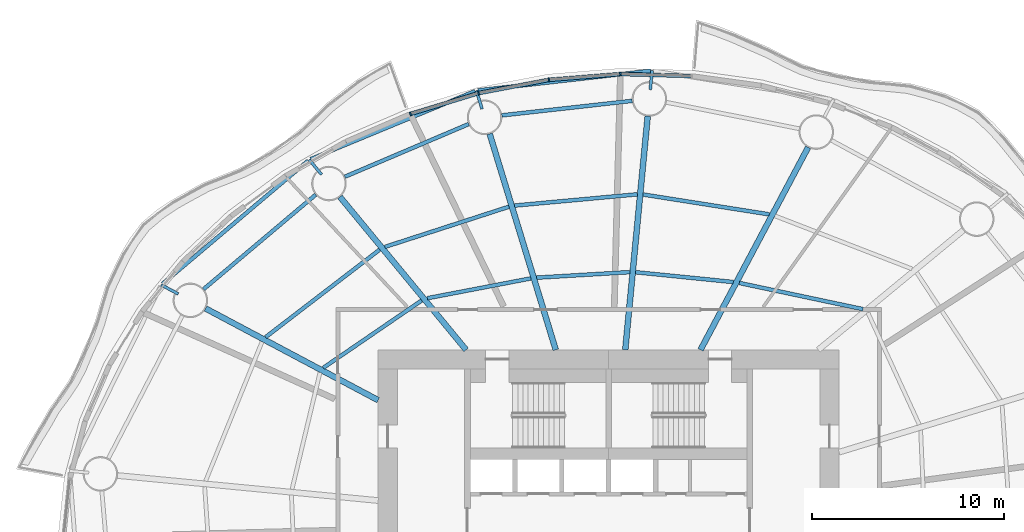
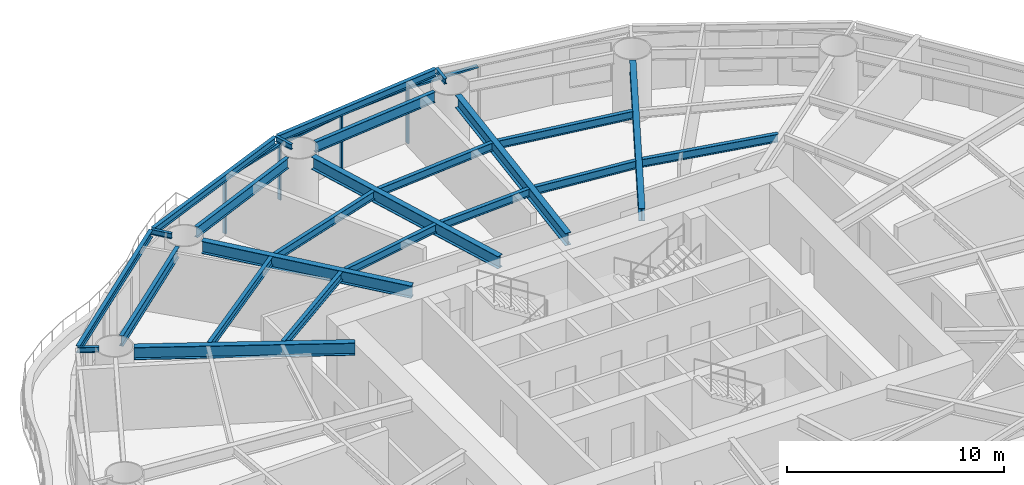
# One storey, part 5 of 16: 24 beams, 8 members, 4 elements without a shape of their own.
"""IFC4 building model written with IfcOpenShell, lengths in metres."""

from ifc_helpers import new_model, si_unit, direction, frame, origin, origin_2d, place, context, subcontext, project, spatial, rectangle, i_section, extrude, material, material_profile, profile_set, type_object, element, aggregate, save


model = new_model("IFC4")

# Units and contexts
model_context = context("Model", 3, precision=1e-05, world=origin(), true_north=direction((0.0, 1.0)))
body_context = subcontext(model_context, "Body", "Model", "MODEL_VIEW")
ifc_project = project(units=[si_unit("LENGTHUNIT", "METRE"), si_unit("AREAUNIT", "SQUARE_METRE"), si_unit("VOLUMEUNIT", "CUBIC_METRE"), si_unit("PLANEANGLEUNIT", "RADIAN"), si_unit("MASSUNIT", "GRAM", prefix="KILO")], contexts=[model_context])

# Site, building, storey
site_placement = place(None, origin())
site = spatial("IfcSite", under=ifc_project, at=site_placement, CompositionType="ELEMENT")
building_placement = place(site_placement, origin())
building = spatial("IfcBuilding", under=site, at=building_placement, Name="Vermilion Reach Broadcast Tower", CompositionType="ELEMENT")
storey_placement = place(building_placement, frame((0.0, 0.0, 65.60009765625)))
storey = spatial("IfcBuildingStorey", under=building, at=storey_placement, Name="L13", CompositionType="ELEMENT", Elevation=65.60009765625)

# Beams
ifc_material_1 = material(Name="Steel S355J2", Category="steel")
ifc_material_profile_1 = material_profile(ifc_material_1, i_section(OverallWidth=0.199951171875, OverallDepth=0.39990234375, WebThickness=0.008056640625, FlangeThickness=0.012939453125, at=origin_2d()), Name="S355J2 HN 400x200x8x13")
ifc_profile_set_1 = profile_set([ifc_material_profile_1], Name="Steel S355J2")
beam_type_1 = type_object("IfcBeamType", Name="EB1 HN 400x200x8x13", PredefinedType="BEAM", material=ifc_profile_set_1)
beam_1_placement = place(storey_placement, frame((-3.81396484375, 23.528076171875, 3.349853515625), z_axis=(-0.993623124283, -0.112752325429, 0.0), x_axis=(0.112752325429, -0.993623124283, 0.0)))
element("IfcBeam", 1, at=beam_1_placement, inside=storey, type_object=beam_type_1, Name="Edge beam EB1-04", PredefinedType="BEAM", context=body_context, shape_type="SweptSolid", body=[
    extrude(i_section(OverallWidth=0.199951171875, OverallDepth=0.39990234375, WebThickness=0.008056640625, FlangeThickness=0.012939453125, at=origin_2d()), origin(), (0.0, 0.0, 1.0), 9.05078125),
])
beam_2_placement = place(storey_placement, frame((-12.95263671875, 22.47021484375, 3.349853515625), z_axis=(-0.924116011476, -0.38211202197, 0.0), x_axis=(0.38211202197, -0.924116011476, 0.0)))
element("IfcBeam", 2, at=beam_2_placement, inside=storey, type_object=beam_type_1, Name="Edge beam EB1-05", PredefinedType="BEAM", context=body_context, shape_type="SweptSolid", body=[
    extrude(i_section(OverallWidth=0.199951171875, OverallDepth=0.39990234375, WebThickness=0.008056640625, FlangeThickness=0.012939453125, at=origin_2d()), origin(), (0.0, 0.0, 1.0), 9.263671875),
])
beam_3_placement = place(storey_placement, frame((-21.643310546875, 18.85205078125, 3.349853515625), z_axis=(-0.763556741491, -0.645740739402, 0.0), x_axis=(0.645740739402, -0.763556741491, 0.0)))
element("IfcBeam", 3, at=beam_3_placement, inside=storey, type_object=beam_type_1, Name="Edge beam EB1-06", PredefinedType="BEAM", context=body_context, shape_type="SweptSolid", body=[
    extrude(i_section(OverallWidth=0.199951171875, OverallDepth=0.39990234375, WebThickness=0.008056640625, FlangeThickness=0.012939453125, at=origin_2d()), origin(), (0.0, 0.0, 1.0), 9.9404296875),
])
ifc_material_2 = material(Name="Steel S355J2", Category="steel")
ifc_material_profile_2 = material_profile(ifc_material_2, i_section(OverallWidth=0.300048828125, OverallDepth=0.699951171875, WebThickness=0.012939453125, FlangeThickness=0.02392578125, at=origin_2d()), Name="S355J2 HN 700x300x13x24")
ifc_profile_set_2 = profile_set([ifc_material_profile_2], Name="Steel S355J2")
beam_type_2 = type_object("IfcBeamType", Name="G1 HN 700x300x13x24", PredefinedType="BEAM", material=ifc_profile_set_2)
beam_4_placement = place(storey_placement, frame((-1.216552734375, 9.0, 3.199951171875), z_axis=(0.469312182262, 0.883032318537, 0.0), x_axis=(-0.883032318537, 0.469312182262, 0.0)))
element("IfcBeam", 4, at=beam_4_placement, inside=storey, type_object=beam_type_2, Name="Girder G1-03", PredefinedType="BEAM", context=body_context, shape_type="SweptSolid", body=[
    extrude(i_section(OverallWidth=0.300048828125, OverallDepth=0.699951171875, WebThickness=0.012939453125, FlangeThickness=0.02392578125, at=origin_2d()), origin(), (0.0, 0.0, 1.0), 11.94091796875),
])
beam_5_placement = place(storey_placement, frame((-5.135009765625, 9.0, 3.199951171875), z_axis=(0.09566673912, 0.995413419151, 0.0), x_axis=(-0.995413419151, 0.09566673912, 0.0)))
element("IfcBeam", 5, at=beam_5_placement, inside=storey, type_object=beam_type_2, Name="Girder G1-04", PredefinedType="BEAM", context=body_context, shape_type="SweptSolid", body=[
    extrude(i_section(OverallWidth=0.300048828125, OverallDepth=0.699951171875, WebThickness=0.012939453125, FlangeThickness=0.02392578125, at=origin_2d()), origin(), (0.0, 0.0, 1.0), 12.22412109375),
])
beam_6_placement = place(storey_placement, frame((-8.753173828125, 9.0, 3.199951171875), z_axis=(-0.292542302886, 0.95625258223, 0.0), x_axis=(-0.95625258223, -0.292542302886, 0.0)))
element("IfcBeam", 6, at=beam_6_placement, inside=storey, type_object=beam_type_2, Name="Girder G1-05", PredefinedType="BEAM", context=body_context, shape_type="SweptSolid", body=[
    extrude(i_section(OverallWidth=0.300048828125, OverallDepth=0.699951171875, WebThickness=0.012939453125, FlangeThickness=0.02392578125, at=origin_2d()), origin(), (0.0, 0.0, 1.0), 11.76220703125),
])
beam_7_placement = place(storey_placement, frame((-13.421630859375, 9.0, 3.199951171875), z_axis=(-0.636215165107, 0.77151167437, 0.0), x_axis=(-0.77151167437, -0.636215165107, 0.0)))
element("IfcBeam", 7, at=beam_7_placement, inside=storey, type_object=beam_type_2, Name="Girder G1-06", PredefinedType="BEAM", context=body_context, shape_type="SweptSolid", body=[
    extrude(i_section(OverallWidth=0.300048828125, OverallDepth=0.699951171875, WebThickness=0.012939453125, FlangeThickness=0.02392578125, at=origin_2d()), origin(), (0.0, 0.0, 1.0), 10.3251953125),
])
beam_8_placement = place(storey_placement, frame((-18.0, 6.3779296875, 3.199951171875), z_axis=(-0.883032139419, 0.469312519279, 0.0), x_axis=(-0.469312519279, -0.883032139419, 0.0)))
element("IfcBeam", 8, at=beam_8_placement, inside=storey, type_object=beam_type_2, Name="Girder G1-07", PredefinedType="BEAM", context=body_context, shape_type="SweptSolid", body=[
    extrude(i_section(OverallWidth=0.300048828125, OverallDepth=0.699951171875, WebThickness=0.012939453125, FlangeThickness=0.02392578125, at=origin_2d()), origin(), (0.0, 0.0, 1.0), 10.17529296875),
])
ifc_material_3 = material(Name="Steel S355J2", Category="steel")
ifc_material_profile_3 = material_profile(ifc_material_3, i_section(OverallWidth=0.14990234375, OverallDepth=0.300048828125, WebThickness=0.006591796875, FlangeThickness=0.009033203125, at=origin_2d()), Name="S355J2 HN 300x150x6.5x9")
ifc_profile_set_3 = profile_set([ifc_material_profile_3], Name="Steel S355J2")
beam_type_3 = type_object("IfcBeamType", Name="GS1 HN 300x150x6.5x9", PredefinedType="BEAM", material=ifc_profile_set_3)
for number, where, z_axis, x_axis, name in (
    (9, (-3.83349609375, 22.541259765625, 3.39990234375), (0.095707754417, 0.995409476419, 0.0), (-0.995409476419, 0.095707754417, 0.0), "Cantilever stub GS1-04"),
    (10, (-12.59033203125, 21.542724609375, 3.39990234375), (-0.292472824594, 0.95627383467, 0.0), (-0.95627383467, -0.292472824594, 0.0), "Cantilever stub GS1-05"),
):
    element("IfcBeam", number, at=place(storey_placement, frame(where, z_axis=z_axis, x_axis=x_axis)), inside=storey, type_object=beam_type_3, Name=name, PredefinedType="BEAM", context=body_context, shape_type="SweptSolid", body=[
        extrude(i_section(OverallWidth=0.14990234375, OverallDepth=0.300048828125, WebThickness=0.006591796875, FlangeThickness=0.009033203125, at=origin_2d()), origin(), (0.0, 0.0, 1.0), 1.0),
    ])
beam_9_placement = place(storey_placement, frame((-20.94970703125, 18.12890625, 3.39990234375), z_axis=(-0.636117850493, 0.77159191305, 0.0), x_axis=(-0.77159191305, -0.636117850493, 0.0)))
element("IfcBeam", 11, at=beam_9_placement, inside=storey, type_object=beam_type_3, Name="Cantilever stub GS1-06", PredefinedType="BEAM", context=body_context, shape_type="SweptSolid", body=[
    extrude(i_section(OverallWidth=0.14990234375, OverallDepth=0.300048828125, WebThickness=0.006591796875, FlangeThickness=0.009033203125, at=origin_2d()), origin(), (0.0, 0.0, 1.0), 1.000244140625),
])
beam_10_placement = place(storey_placement, frame((-28.411865234375, 11.91162109375, 3.39990234375), z_axis=(-0.883068299348, 0.469244476458, 0.0), x_axis=(-0.469244476458, -0.883068299348, 0.0)))
element("IfcBeam", 12, at=beam_10_placement, inside=storey, type_object=beam_type_3, Name="Cantilever stub GS1-07", PredefinedType="BEAM", context=body_context, shape_type="SweptSolid", body=[
    extrude(i_section(OverallWidth=0.14990234375, OverallDepth=0.300048828125, WebThickness=0.006591796875, FlangeThickness=0.009033203125, at=origin_2d()), origin(), (0.0, 0.0, 1.0), 1.0),
])
ifc_material_4 = material(Name="Steel S355J2", Category="steel")
ifc_material_profile_4 = material_profile(ifc_material_4, i_section(OverallWidth=0.199951171875, OverallDepth=0.60009765625, WebThickness=0.010986328125, FlangeThickness=0.01708984375, at=origin_2d()), Name="S355J2 HN 600x200x11x17")
ifc_profile_set_4 = profile_set([ifc_material_profile_4], Name="Steel S355J2")
beam_type_4 = type_object("IfcBeamType", Name="RB1 HN 600x200x11x17", PredefinedType="BEAM", material=ifc_profile_set_4)
beam_11_placement = place(storey_placement, frame((-4.77392578125, 21.964111328125, 3.25), z_axis=(-0.993851439324, -0.110721798009, 0.0), x_axis=(0.110721798009, -0.993851439324, 0.0)))
element("IfcBeam", 13, at=beam_11_placement, inside=storey, type_object=beam_type_4, Name="Ring beam RB1-04", PredefinedType="BEAM", context=body_context, shape_type="SweptSolid", body=[
    extrude(i_section(OverallWidth=0.199951171875, OverallDepth=0.60009765625, WebThickness=0.010986328125, FlangeThickness=0.01708984375, at=origin_2d()), origin(), (0.0, 0.0, 1.0), 6.8310546875),
])
beam_12_placement = place(storey_placement, frame((-13.28564453125, 20.755859375, 3.25), z_axis=(-0.920220846584, -0.391399531825, 0.0), x_axis=(0.391399531825, -0.920220846584, 0.0)))
element("IfcBeam", 14, at=beam_12_placement, inside=storey, type_object=beam_type_4, Name="Ring beam RB1-05", PredefinedType="BEAM", context=body_context, shape_type="SweptSolid", body=[
    extrude(i_section(OverallWidth=0.199951171875, OverallDepth=0.60009765625, WebThickness=0.010986328125, FlangeThickness=0.01708984375, at=origin_2d()), origin(), (0.0, 0.0, 1.0), 7.008544921875),
])
beam_13_placement = place(storey_placement, frame((-21.251220703125, 17.080322265625, 3.25), z_axis=(-0.764512441084, -0.6446089725, 0.0), x_axis=(0.6446089725, -0.764512441084, 0.0)))
element("IfcBeam", 15, at=beam_13_placement, inside=storey, type_object=beam_type_4, Name="Ring beam RB1-06", PredefinedType="BEAM", context=body_context, shape_type="SweptSolid", body=[
    extrude(i_section(OverallWidth=0.199951171875, OverallDepth=0.60009765625, WebThickness=0.010986328125, FlangeThickness=0.01708984375, at=origin_2d()), origin(), (0.0, 0.0, 1.0), 7.6396484375),
])
ifc_material_5 = material(Name="Steel S355J2", Category="steel")
ifc_material_profile_5 = material_profile(ifc_material_5, i_section(OverallWidth=0.199951171875, OverallDepth=0.449951171875, WebThickness=0.009033203125, FlangeThickness=0.013916015625, at=origin_2d()), Name="S355J2 HN 450x200x9x14")
ifc_profile_set_5 = profile_set([ifc_material_profile_5], Name="Steel S355J2")
beam_type_5 = type_object("IfcBeamType", Name="SB1 HN 450x200x9x14", PredefinedType="BEAM", material=ifc_profile_set_5)
beam_14_placement = place(storey_placement, frame((7.24560546875, 11.1171875, 3.324951171875), z_axis=(-0.978270372412, 0.207333254596, 0.0), x_axis=(-0.207333254596, -0.978270372412, 0.0)))
element("IfcBeam", 16, at=beam_14_placement, inside=storey, type_object=beam_type_5, Name="Secondary beam SB1-02-1", PredefinedType="BEAM", context=body_context, shape_type="SweptSolid", body=[
    extrude(i_section(OverallWidth=0.199951171875, OverallDepth=0.449951171875, WebThickness=0.009033203125, FlangeThickness=0.013916015625, at=origin_2d()), origin(), (0.0, 0.0, 1.0), 6.584716796875),
])
beam_15_placement = place(storey_placement, frame((0.490234375, 12.531005859375, 3.324951171875), z_axis=(-0.995010199331, 0.099773259079, 0.0), x_axis=(-0.099773259079, -0.995010199331, 0.0)))
element("IfcBeam", 17, at=beam_15_placement, inside=storey, type_object=beam_type_5, Name="Secondary beam SB1-03-1", PredefinedType="BEAM", context=body_context, shape_type="SweptSolid", body=[
    extrude(i_section(OverallWidth=0.199951171875, OverallDepth=0.449951171875, WebThickness=0.009033203125, FlangeThickness=0.013916015625, at=origin_2d()), origin(), (0.0, 0.0, 1.0), 5.111572265625),
])
beam_16_placement = place(storey_placement, frame((2.36279296875, 16.05419921875, 3.324951171875), z_axis=(-0.987829548379, 0.155540294938, 0.0), x_axis=(-0.155540294938, -0.987829548379, 0.0)))
element("IfcBeam", 18, at=beam_16_placement, inside=storey, type_object=beam_type_5, Name="Secondary beam SB1-03-2", PredefinedType="BEAM", context=body_context, shape_type="SweptSolid", body=[
    extrude(i_section(OverallWidth=0.199951171875, OverallDepth=0.449951171875, WebThickness=0.009033203125, FlangeThickness=0.013916015625, at=origin_2d()), origin(), (0.0, 0.0, 1.0), 6.650634765625),
])
beam_17_placement = place(storey_placement, frame((-4.896728515625, 13.046875, 3.324951171875), z_axis=(-0.99823410974, -0.059402543307, 0.0), x_axis=(0.059402543307, -0.99823410974, 0.0)))
element("IfcBeam", 19, at=beam_17_placement, inside=storey, type_object=beam_type_5, Name="Secondary beam SB1-04-1", PredefinedType="BEAM", context=body_context, shape_type="SweptSolid", body=[
    extrude(i_section(OverallWidth=0.199951171875, OverallDepth=0.449951171875, WebThickness=0.009033203125, FlangeThickness=0.013916015625, at=origin_2d()), origin(), (0.0, 0.0, 1.0), 4.85791015625),
])
beam_18_placement = place(storey_placement, frame((-4.50732421875, 17.09814453125, 3.324951171875), z_axis=(-0.995818616382, -0.091352521952, 0.0), x_axis=(0.091352521952, -0.995818616382, 0.0)))
element("IfcBeam", 20, at=beam_18_placement, inside=storey, type_object=beam_type_5, Name="Secondary beam SB1-04-2", PredefinedType="BEAM", context=body_context, shape_type="SweptSolid", body=[
    extrude(i_section(OverallWidth=0.199951171875, OverallDepth=0.449951171875, WebThickness=0.009033203125, FlangeThickness=0.013916015625, at=origin_2d()), origin(), (0.0, 0.0, 1.0), 6.4140625),
])
beam_19_placement = place(storey_placement, frame((-10.04833984375, 12.720703125, 3.324951171875), z_axis=(-0.982151348822, -0.188092339045, 0.0), x_axis=(0.188092339045, -0.982151348822, 0.0)))
element("IfcBeam", 21, at=beam_19_placement, inside=storey, type_object=beam_type_5, Name="Secondary beam SB1-05-1", PredefinedType="BEAM", context=body_context, shape_type="SweptSolid", body=[
    extrude(i_section(OverallWidth=0.199951171875, OverallDepth=0.449951171875, WebThickness=0.009033203125, FlangeThickness=0.013916015625, at=origin_2d()), origin(), (0.0, 0.0, 1.0), 5.4931640625),
])
beam_20_placement = place(storey_placement, frame((-11.18994140625, 16.4521484375, 3.324951171875), z_axis=(-0.951332300844, -0.308166924523, 0.0), x_axis=(0.308166924523, -0.951332300844, 0.0)))
element("IfcBeam", 22, at=beam_20_placement, inside=storey, type_object=beam_type_5, Name="Secondary beam SB1-05-2", PredefinedType="BEAM", context=body_context, shape_type="SweptSolid", body=[
    extrude(i_section(OverallWidth=0.199951171875, OverallDepth=0.449951171875, WebThickness=0.009033203125, FlangeThickness=0.013916015625, at=origin_2d()), origin(), (0.0, 0.0, 1.0), 6.787841796875),
])
beam_21_placement = place(storey_placement, frame((-15.735595703125, 11.5703125, 3.324951171875), z_axis=(-0.825140253447, -0.564927926502, 0.0), x_axis=(0.564927926502, -0.825140253447, 0.0)))
element("IfcBeam", 23, at=beam_21_placement, inside=storey, type_object=beam_type_5, Name="Secondary beam SB1-06-1", PredefinedType="BEAM", context=body_context, shape_type="SweptSolid", body=[
    extrude(i_section(OverallWidth=0.199951171875, OverallDepth=0.449951171875, WebThickness=0.009033203125, FlangeThickness=0.013916015625, at=origin_2d()), origin(), (0.0, 0.0, 1.0), 6.20458984375),
])
beam_22_placement = place(storey_placement, frame((-17.920166015625, 14.21923828125, 3.324951171875), z_axis=(-0.793349617473, -0.60876628065, 0.0), x_axis=(0.60876628065, -0.793349617473, 0.0)))
element("IfcBeam", 24, at=beam_22_placement, inside=storey, type_object=beam_type_5, Name="Secondary beam SB1-06-2", PredefinedType="BEAM", context=body_context, shape_type="SweptSolid", body=[
    extrude(i_section(OverallWidth=0.199951171875, OverallDepth=0.449951171875, WebThickness=0.009033203125, FlangeThickness=0.013916015625, at=origin_2d()), origin(), (0.0, 0.0, 1.0), 7.486328125),
])

# Curtain wall, member
ifc_material_6 = material(Name="Low-e laminated clear glass in aluminium frame", Category="aluminium")
curtain_wall_type = type_object("IfcCurtainWallType", Name="Slot curtain wall", PredefinedType="NOTDEFINED", material=ifc_material_6)
placement = place(storey_placement, origin())
curtain_wall_1 = element("IfcCurtainWall", 25, at=placement, inside=storey, type_object=curtain_wall_type, Name="Slot curtain wall L13 11", PredefinedType="NOTDEFINED")
ifc_material_7 = material(Name="Anodised aluminium", Category="aluminium")
ifc_material_profile_6 = material_profile(ifc_material_7, rectangle(XDim=0.199951171875, YDim=0.080078125, at=origin_2d()), Name="Slot mullion 80 x 200")
ifc_profile_set_6 = profile_set([ifc_material_profile_6], Name="Anodised aluminium")
member_type_1 = type_object("IfcMemberType", Name="Slot mullion 80 x 200", PredefinedType="MULLION", material=ifc_profile_set_6)
member_1_placement = place(storey_placement, frame((-5.394287109375, 23.3603515625, 0.0), z_axis=(0.0, 0.0, 1.0), x_axis=(0.026422307561, -0.999650869886, 0.0)))
member_1 = element("IfcMember", 26, at=member_1_placement, type_object=member_type_1, Name="Slot mullion L13 11", PredefinedType="MULLION", context=body_context, shape_type="SweptSolid", body=[
    extrude(rectangle(XDim=0.199951171875, YDim=0.080078125, at=origin_2d()), origin(), (0.0, 0.0, 1.0), 3.14990234375),
])

curtain_wall_2 = element("IfcCurtainWall", 27, at=placement, inside=storey, type_object=curtain_wall_type, Name="Slot curtain wall L13 12", PredefinedType="NOTDEFINED")
member_2_placement = place(storey_placement, frame((-9.10986328125, 23.06103515625, 0.0), z_axis=(0.0, 0.0, 1.0), x_axis=(0.133640265425, -0.991029908457, 0.0)))
member_2 = element("IfcMember", 28, at=member_2_placement, type_object=member_type_1, Name="Slot mullion L13 12", PredefinedType="MULLION", context=body_context, shape_type="SweptSolid", body=[
    extrude(rectangle(XDim=0.199951171875, YDim=0.080078125, at=origin_2d()), origin(), (0.0, 0.0, 1.0), 3.14990234375),
])

# Curtain wall, members
curtain_wall_3 = element("IfcCurtainWall", 29, at=placement, inside=storey, type_object=curtain_wall_type, Name="Slot curtain wall L13 13", PredefinedType="NOTDEFINED")
member_3_placement = place(storey_placement, frame((-12.771728515625, 22.365478515625, 0.0), z_axis=(0.0, 0.0, 1.0), x_axis=(0.239311954521, -0.970942731794, 0.0)))
member_3 = element("IfcMember", 30, at=member_3_placement, type_object=member_type_1, Name="Slot mullion L13 13", PredefinedType="MULLION", context=body_context, shape_type="SweptSolid", body=[
    extrude(rectangle(XDim=0.199951171875, YDim=0.080078125, at=origin_2d()), origin(), (0.0, 0.0, 1.0), 3.14990234375),
])
member_4_placement = place(storey_placement, frame((-16.317138671875, 21.28564453125, 0.0), z_axis=(0.0, 0.0, 1.0), x_axis=(0.343348234087, -0.939208171892, 0.0)))
member_4 = element("IfcMember", 31, at=member_4_placement, type_object=member_type_1, Name="Slot mullion L13 14", PredefinedType="MULLION", context=body_context, shape_type="SweptSolid", body=[
    extrude(rectangle(XDim=0.199951171875, YDim=0.080078125, at=origin_2d()), origin(), (0.0, 0.0, 1.0), 3.14990234375),
])

# Curtain wall, member
curtain_wall_4 = element("IfcCurtainWall", 32, at=placement, inside=storey, type_object=curtain_wall_type, Name="Slot curtain wall L13 10", PredefinedType="NOTDEFINED")
ifc_material_8 = material(Name="Anodised aluminium", Category="aluminium")
ifc_material_profile_7 = material_profile(ifc_material_8, rectangle(XDim=0.199951171875, YDim=0.10009765625, at=origin_2d()), Name="Slot transom 200 x 100")
ifc_profile_set_7 = profile_set([ifc_material_profile_7], Name="Anodised aluminium")
member_type_2 = type_object("IfcMemberType", Name="Slot transom 200 x 100", PredefinedType="USERDEFINED", material=ifc_profile_set_7)
member_5_placement = place(storey_placement, frame((-1.7294921875, 23.25927734375, 3.099853515625), z_axis=(-0.999620779236, 0.027537206083, 0.0), x_axis=(-0.027537206083, -0.999620779236, 0.0)))
member_5 = element("IfcMember", 33, at=member_5_placement, type_object=member_type_2, Name="Slot transom L13 10.1", ObjectType="TRANSOM", PredefinedType="USERDEFINED", context=body_context, shape_type="SweptSolid", body=[
    extrude(rectangle(XDim=0.199951171875, YDim=0.10009765625, at=origin_2d()), origin(), (0.0, 0.0, 1.0), 3.626220703125),
])
aggregate(curtain_wall_4, [member_5])

# Member
member_6_placement = place(storey_placement, frame((-5.43408203125, 23.357177734375, 3.099853515625), z_axis=(-0.996769142895, -0.080319834238, 0.0), x_axis=(0.080319834238, -0.996769142895, 0.0)))
member_6 = element("IfcMember", 34, at=member_6_placement, type_object=member_type_2, Name="Slot transom L13 11.1", ObjectType="TRANSOM", PredefinedType="USERDEFINED", context=body_context, shape_type="SweptSolid", body=[
    extrude(rectangle(XDim=0.199951171875, YDim=0.10009765625, at=origin_2d()), origin(), (0.0, 0.0, 1.0), 3.6474609375),
])

aggregate(curtain_wall_1, [member_1, member_6])

member_7_placement = place(storey_placement, frame((-9.149169921875, 23.053466796875, 3.099853515625), z_axis=(-0.982432184032, -0.186619944749, 0.0), x_axis=(0.186619944749, -0.982432184032, 0.0)))
member_7 = element("IfcMember", 35, at=member_7_placement, type_object=member_type_2, Name="Slot transom L13 12.1", ObjectType="TRANSOM", PredefinedType="USERDEFINED", context=body_context, shape_type="SweptSolid", body=[
    extrude(rectangle(XDim=0.199951171875, YDim=0.10009765625, at=origin_2d()), origin(), (0.0, 0.0, 1.0), 3.647216796875),
])

aggregate(curtain_wall_2, [member_2, member_7])

member_8_placement = place(storey_placement, frame((-12.81005859375, 22.353759765625, 3.099853515625), z_axis=(-0.95662657696, -0.291316996165, 0.0), x_axis=(0.291316996165, -0.95662657696, 0.0)))
member_8 = element("IfcMember", 36, at=member_8_placement, type_object=member_type_2, Name="Slot transom L13 13.1", ObjectType="TRANSOM", PredefinedType="USERDEFINED", context=body_context, shape_type="SweptSolid", body=[
    extrude(rectangle(XDim=0.199951171875, YDim=0.10009765625, at=origin_2d()), origin(), (0.0, 0.0, 1.0), 3.626220703125),
])

aggregate(curtain_wall_3, [member_3, member_4, member_8])

save(model, "model.ifc")
